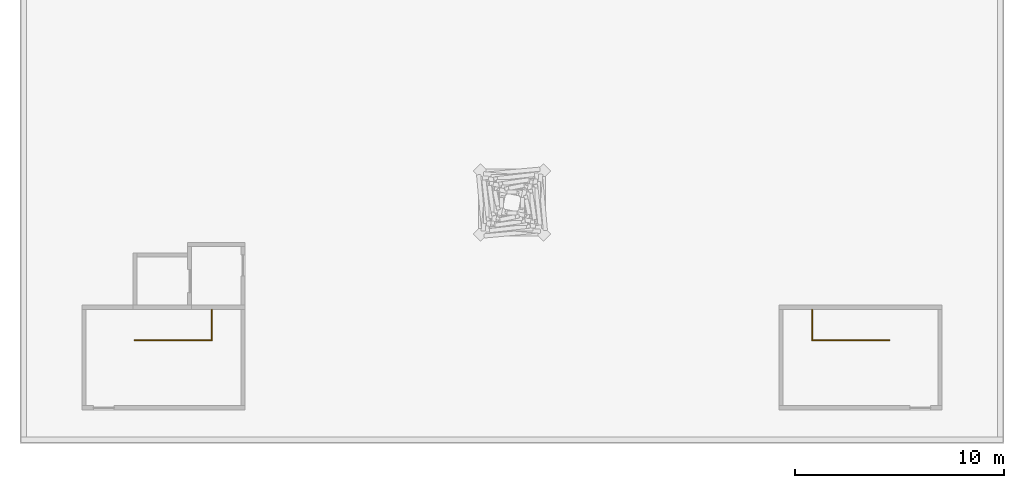
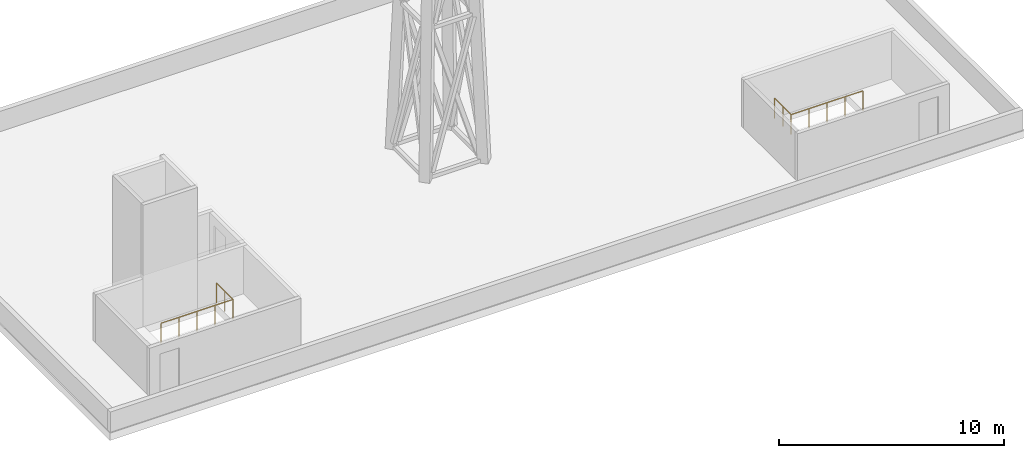
# One storey, part 3 of 3: 2 railings.
"""IFC4 building model written with IfcOpenShell, lengths in metres."""

from ifc_helpers import new_model, si_unit, direction, frame, origin, origin_2d, place, context, subcontext, project, spatial, circle, extrude, material, type_object, element, save


model = new_model("IFC4")

# Units and contexts
model_context = context("Model", 3, precision=1e-05, world=origin(), true_north=direction((0.0, 1.0)))
body_context = subcontext(model_context, "Body", "Model", "MODEL_VIEW")
ifc_project = project(units=[si_unit("LENGTHUNIT", "METRE"), si_unit("AREAUNIT", "SQUARE_METRE"), si_unit("VOLUMEUNIT", "CUBIC_METRE"), si_unit("PLANEANGLEUNIT", "RADIAN"), si_unit("MASSUNIT", "GRAM", prefix="KILO")], contexts=[model_context])

# Site, building, storey
site_placement = place(None, origin())
site = spatial("IfcSite", under=ifc_project, at=site_placement, CompositionType="ELEMENT")
building_placement = place(site_placement, origin())
building = spatial("IfcBuilding", under=site, at=building_placement, Name="Kitamizu Gate Tower and Museum", CompositionType="ELEMENT")
storey_placement = place(building_placement, frame((0.0, 0.0, 289.35009765625)))
storey = spatial("IfcBuildingStorey", under=building, at=storey_placement, Name="ROOF", CompositionType="ELEMENT", Elevation=289.35009765625)

# Railings
ifc_material = material(Name="Stainless steel SUS304 with toughened glass", Category="steel")
railing_type = type_object("IfcRailingType", Name="Stair guard 1100", PredefinedType="GUARDRAIL", material=ifc_material)
railing_1_placement = place(storey_placement, frame((17.968017578125, 23.419921875, 0.0)))
element("IfcRailing", 1, at=railing_1_placement, inside=storey, type_object=railing_type, Name="Roof stair opening guard W", PredefinedType="GUARDRAIL", context=body_context, shape_type="SweptSolid", body=[
    extrude(circle(Radius=0.02392578125, at=origin_2d()), frame((0.0, 0.0, 1.076171875), z_axis=(1.0, 0.0, 0.0), x_axis=(0.0, 1.0, 0.0)), (0.0, 0.0, 1.0), 3.695068359375),
    extrude(circle(Radius=0.02392578125, at=origin_2d()), frame((3.695068359375, 0.0, 1.076171875), z_axis=(0.0, 1.0, 0.0), x_axis=(-1.0, 0.0, 0.0)), (0.0, 0.0, 1.0), 1.4599609375),
    extrude(circle(Radius=0.02099609375, at=origin_2d()), origin(), (0.0, 0.0, 1.0), 1.052001953125),
    extrude(circle(Radius=0.02099609375, at=origin_2d()), frame((0.923828125, 0.0, 0.0)), (0.0, 0.0, 1.0), 1.052001953125),
    extrude(circle(Radius=0.02099609375, at=origin_2d()), frame((1.84765625, 0.0, 0.0)), (0.0, 0.0, 1.0), 1.052001953125),
    extrude(circle(Radius=0.02099609375, at=origin_2d()), frame((2.771240234375, 0.0, 0.0)), (0.0, 0.0, 1.0), 1.052001953125),
    extrude(circle(Radius=0.02099609375, at=origin_2d()), frame((3.695068359375, 0.0, 0.0)), (0.0, 0.0, 1.0), 1.052001953125),
    extrude(circle(Radius=0.02099609375, at=origin_2d()), frame((3.695068359375, 0.72998046875, 0.0)), (0.0, 0.0, 1.0), 1.052001953125),
    extrude(circle(Radius=0.02099609375, at=origin_2d()), frame((3.695068359375, 1.4599609375, 0.0)), (0.0, 0.0, 1.0), 1.052001953125),
])
railing_2_placement = place(storey_placement, frame((54.031982421875, 23.419921875, 0.0)))
element("IfcRailing", 2, at=railing_2_placement, inside=storey, type_object=railing_type, Name="Roof stair opening guard E", PredefinedType="GUARDRAIL", context=body_context, shape_type="SweptSolid", body=[
    extrude(circle(Radius=0.02392578125, at=origin_2d()), frame((0.0, 0.0, 1.076171875), z_axis=(-1.0, 0.0, 0.0), x_axis=(0.0, -1.0, 0.0)), (0.0, 0.0, 1.0), 3.695068359375),
    extrude(circle(Radius=0.02392578125, at=origin_2d()), frame((-3.695068359375, 0.0, 1.076171875), z_axis=(0.0, 1.0, 0.0), x_axis=(-1.0, 0.0, 0.0)), (0.0, 0.0, 1.0), 1.4599609375),
    extrude(circle(Radius=0.02099609375, at=origin_2d()), origin(), (0.0, 0.0, 1.0), 1.052001953125),
    extrude(circle(Radius=0.02099609375, at=origin_2d()), frame((-0.923828125, 0.0, 0.0)), (0.0, 0.0, 1.0), 1.052001953125),
    extrude(circle(Radius=0.02099609375, at=origin_2d()), frame((-1.84765625, 0.0, 0.0)), (0.0, 0.0, 1.0), 1.052001953125),
    extrude(circle(Radius=0.02099609375, at=origin_2d()), frame((-2.771240234375, 0.0, 0.0)), (0.0, 0.0, 1.0), 1.052001953125),
    extrude(circle(Radius=0.02099609375, at=origin_2d()), frame((-3.695068359375, 0.0, 0.0)), (0.0, 0.0, 1.0), 1.052001953125),
    extrude(circle(Radius=0.02099609375, at=origin_2d()), frame((-3.695068359375, 0.72998046875, 0.0)), (0.0, 0.0, 1.0), 1.052001953125),
    extrude(circle(Radius=0.02099609375, at=origin_2d()), frame((-3.695068359375, 1.4599609375, 0.0)), (0.0, 0.0, 1.0), 1.052001953125),
])

save(model, "model.ifc")
